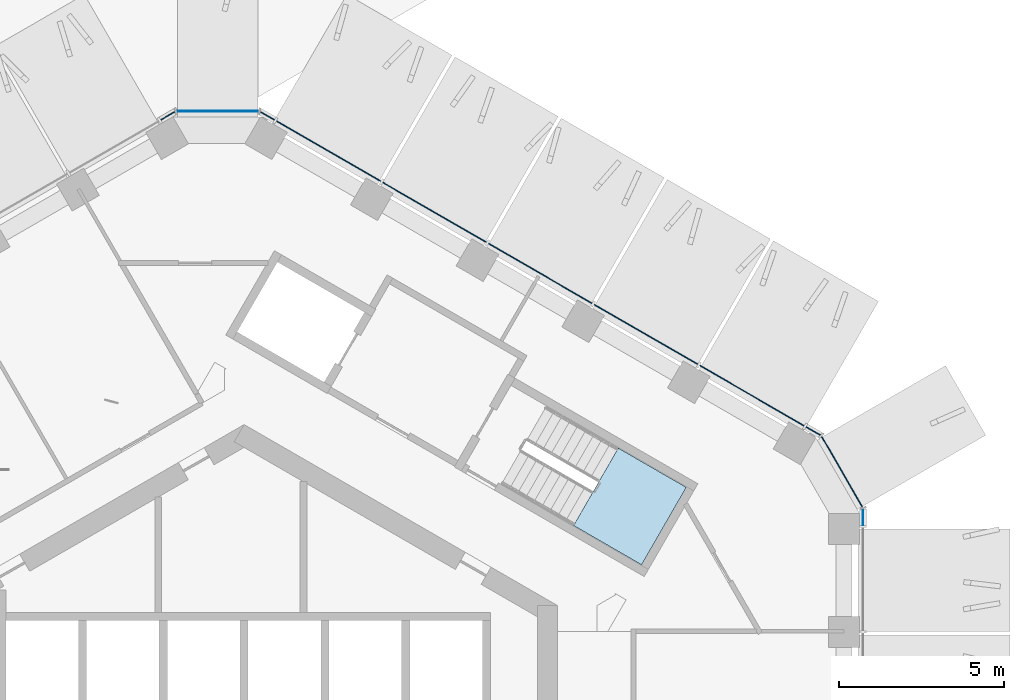
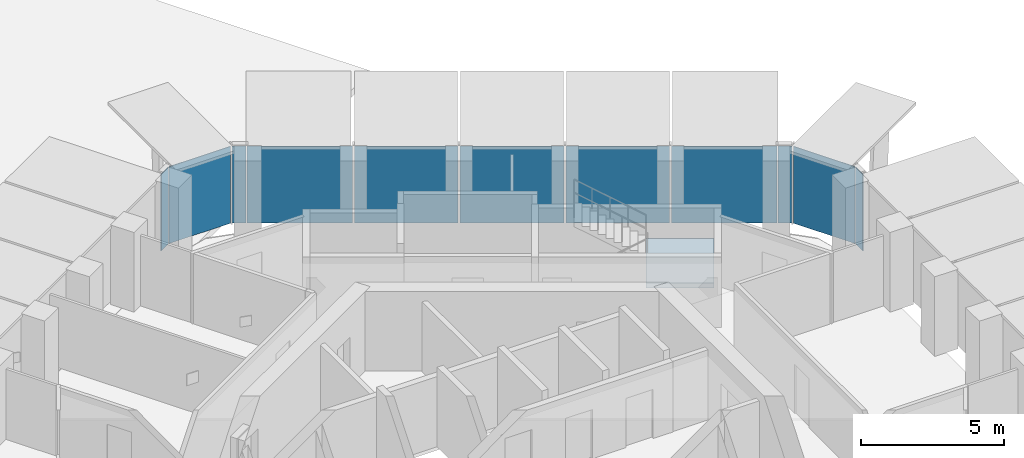
# One storey, part 12 of 23: 11 plates, 1 slab, 4 elements without a shape of their own.
"""IFC4 building model written with IfcOpenShell, lengths in metres."""

from ifc_helpers import new_model, si_unit, direction, frame, origin, origin_2d, place, context, subcontext, project, spatial, polyline, rectangle, outline, extrude, material, layer, layer_set, type_object, element, aggregate, save


model = new_model("IFC4")

# Units and contexts
model_context = context("Model", 3, precision=1e-05, world=origin(), true_north=direction((0.0, 1.0)))
body_context = subcontext(model_context, "Body", "Model", "MODEL_VIEW")
ifc_project = project(units=[si_unit("LENGTHUNIT", "METRE"), si_unit("AREAUNIT", "SQUARE_METRE"), si_unit("VOLUMEUNIT", "CUBIC_METRE"), si_unit("PLANEANGLEUNIT", "RADIAN"), si_unit("MASSUNIT", "GRAM", prefix="KILO")], contexts=[model_context])

# Site, building, storey
site_placement = place(None, origin())
site = spatial("IfcSite", under=ifc_project, at=site_placement, CompositionType="ELEMENT")
building_placement = place(site_placement, origin())
building = spatial("IfcBuilding", under=site, at=building_placement, Name="Ayvan Gate Tower", CompositionType="ELEMENT")
storey_placement = place(building_placement, frame((0.0, 0.0, 198.699951171875)))
storey = spatial("IfcBuildingStorey", under=building, at=storey_placement, Name="L53", CompositionType="ELEMENT", Elevation=198.699951171875)

# Stair, slab
ifc_material_1 = material(Name="Concrete C40/50", Category="concrete")
stair_type = type_object("IfcStairType", Name="ST-EXIT", PredefinedType="HALF_TURN_STAIR", material=ifc_material_1)
stair_placement = place(storey_placement, origin())
stair = element("IfcStair", 1, at=stair_placement, inside=storey, type_object=stair_type, Name="L53 Exit Stair S1", PredefinedType="HALF_TURN_STAIR")
ifc_layer_1 = layer(ifc_material_1, 0.199951171875)
ifc_layer_set_1 = layer_set([ifc_layer_1], Name="Concrete C40/50")
slab_type = type_object("IfcSlabType", Name="SL-LANDING-200", PredefinedType="LANDING", material=ifc_layer_set_1)
slab_placement = place(storey_placement, frame((0.0, 0.0, 1.5)))
slab = element("IfcSlab", 2, at=slab_placement, type_object=slab_type, Name="STS1 landing 1", PredefinedType="LANDING", context=body_context, shape_type="SweptSolid", body=[
    extrude(outline(polyline([(9.988525390625, 7.91064453125), (12.049560546875, 6.720458984375), (13.404541015625, 9.0673828125), (11.343505859375, 10.257568359375), (9.988525390625, 7.91064453125)])), origin(), (0.0, 0.0, 1.0), 0.199951171875),
])
aggregate(stair, [slab])

# Curtain wall, plates
ifc_material_2 = material(Name="Bronze anodised aluminium", Category="aluminium")
ifc_layer_2 = layer(ifc_material_2, 0.199951171875)
ifc_layer_set_2 = layer_set([ifc_layer_2], Name="Bronze anodised aluminium")
curtain_wall_type_1 = type_object("IfcCurtainWallType", Name="Stick curtain wall CW-2", PredefinedType="NOTDEFINED", material=ifc_layer_set_2)
curtain_wall_1_placement = place(storey_placement, origin())
curtain_wall_1 = element("IfcCurtainWall", 3, at=curtain_wall_1_placement, inside=storey, type_object=curtain_wall_type_1, Name="Stick curtain wall CW-2 L53", PredefinedType="NOTDEFINED")
ifc_material_3 = material(Name="Clear low-iron laminated glass", Category="glass")
ifc_layer_3 = layer(ifc_material_3, 0.028076171875)
ifc_layer_set_3 = layer_set([ifc_layer_3], Name="Clear low-iron laminated glass")
plate_type_1 = type_object("IfcPlateType", Name="Stick curtain wall CW-2 glass panel", PredefinedType="CURTAIN_PANEL", material=ifc_layer_set_3)
plate_1_placement = place(storey_placement, frame((15.412353515625, 11.83837890625, 0.0), z_axis=(0.0, 0.0, 1.0), x_axis=(-0.866025403784, 0.5, 0.0)))
plate_1 = element("IfcPlate", 4, at=plate_1_placement, type_object=plate_type_1, Name="CW-2 glass panel 1", PredefinedType="CURTAIN_PANEL", context=body_context, shape_type="SweptSolid", body=[
    extrude(rectangle(XDim=3.68798828125, YDim=0.028076171875, at=origin_2d()), origin(), (0.0, 0.0, 1.0), 3.280029296875),
])
plate_2_placement = place(storey_placement, frame((12.183349609375, 13.70263671875, 0.0), z_axis=(0.0, 0.0, 1.0), x_axis=(-0.866025403784, 0.5, 0.0)))
plate_2 = element("IfcPlate", 5, at=plate_2_placement, type_object=plate_type_1, Name="CW-2 glass panel 2", PredefinedType="CURTAIN_PANEL", context=body_context, shape_type="SweptSolid", body=[
    extrude(rectangle(XDim=3.62890625, YDim=0.028076171875, at=origin_2d()), origin(), (0.0, 0.0, 1.0), 3.280029296875),
])
plate_3_placement = place(storey_placement, frame((8.9794921875, 15.552490234375, 0.0), z_axis=(0.0, 0.0, 1.0), x_axis=(-0.866025403784, 0.5, 0.0)))
plate_3 = element("IfcPlate", 6, at=plate_3_placement, type_object=plate_type_1, Name="CW-2 glass panel 3", PredefinedType="CURTAIN_PANEL", context=body_context, shape_type="SweptSolid", body=[
    extrude(rectangle(XDim=3.6298828125, YDim=0.028076171875, at=origin_2d()), origin(), (0.0, 0.0, 1.0), 3.280029296875),
])
plate_4_placement = place(storey_placement, frame((5.775634765625, 17.40234375, 0.0), z_axis=(0.0, 0.0, 1.0), x_axis=(-0.866025403784, 0.5, 0.0)))
plate_4 = element("IfcPlate", 7, at=plate_4_placement, type_object=plate_type_1, Name="CW-2 glass panel 4", PredefinedType="CURTAIN_PANEL", context=body_context, shape_type="SweptSolid", body=[
    extrude(rectangle(XDim=3.62890625, YDim=0.028076171875, at=origin_2d()), origin(), (0.0, 0.0, 1.0), 3.280029296875),
])
plate_5_placement = place(storey_placement, frame((2.54638671875, 19.2666015625, 0.0), z_axis=(0.0, 0.0, 1.0), x_axis=(-0.866025403784, 0.5, 0.0)))
plate_5 = element("IfcPlate", 8, at=plate_5_placement, type_object=plate_type_1, Name="CW-2 glass panel 5", PredefinedType="CURTAIN_PANEL", context=body_context, shape_type="SweptSolid", body=[
    extrude(rectangle(XDim=3.6884765625, YDim=0.028076171875, at=origin_2d()), origin(), (0.0, 0.0, 1.0), 3.280029296875),
])
aggregate(curtain_wall_1, [plate_1, plate_2, plate_3, plate_4, plate_5])

ifc_layer_4 = layer(ifc_material_2, 0.199951171875)
ifc_layer_set_4 = layer_set([ifc_layer_4], Name="Bronze anodised aluminium")
curtain_wall_type_2 = type_object("IfcCurtainWallType", Name="Stick curtain wall CW-6", PredefinedType="NOTDEFINED", material=ifc_layer_set_4)
curtain_wall_2_placement = place(storey_placement, origin())
curtain_wall_2 = element("IfcCurtainWall", 9, at=curtain_wall_2_placement, inside=storey, type_object=curtain_wall_type_2, Name="Stick curtain wall CW-6 L53", PredefinedType="NOTDEFINED")
ifc_layer_5 = layer(ifc_material_3, 0.028076171875)
ifc_layer_set_5 = layer_set([ifc_layer_5], Name="Clear low-iron laminated glass")
plate_type_2 = type_object("IfcPlateType", Name="Stick curtain wall CW-6 glass panel", PredefinedType="CURTAIN_PANEL", material=ifc_layer_set_5)
plate_6_placement = place(storey_placement, frame((18.761474609375, 8.16650390625, 0.0), z_axis=(0.0, 0.0, 1.0), x_axis=(0.0, 1.0, 0.0)))
plate_6 = element("IfcPlate", 10, at=plate_6_placement, type_object=plate_type_2, Name="CW-6 glass panel 1", PredefinedType="CURTAIN_PANEL", context=body_context, shape_type="SweptSolid", body=[
    extrude(rectangle(XDim=0.5, YDim=0.028076171875, at=origin_2d()), origin(), (0.0, 0.0, 1.0), 3.280029296875),
])
plate_7_placement = place(storey_placement, frame((18.1279296875, 9.5390625, 0.0), z_axis=(0.0, 0.0, 1.0), x_axis=(-0.5, 0.866025403784, 0.0)))
plate_7 = element("IfcPlate", 11, at=plate_7_placement, type_object=plate_type_2, Name="CW-6 glass panel 2", PredefinedType="CURTAIN_PANEL", context=body_context, shape_type="SweptSolid", body=[
    extrude(rectangle(XDim=2.484619140625, YDim=0.028076171875, at=origin_2d()), origin(), (0.0, 0.0, 1.0), 3.280029296875),
])
plate_8_placement = place(storey_placement, frame((17.256103515625, 10.77392578125, 0.0), z_axis=(0.0, 0.0, 1.0), x_axis=(-0.866025403784, 0.5, 0.0)))
plate_8 = element("IfcPlate", 12, at=plate_8_placement, type_object=plate_type_2, Name="CW-6 glass panel 3", PredefinedType="CURTAIN_PANEL", context=body_context, shape_type="SweptSolid", body=[
    extrude(rectangle(XDim=0.5, YDim=0.028076171875, at=origin_2d()), origin(), (0.0, 0.0, 1.0), 3.280029296875),
])
aggregate(curtain_wall_2, [plate_6, plate_7, plate_8])

curtain_wall_3_placement = place(storey_placement, origin())
curtain_wall_3 = element("IfcCurtainWall", 13, at=curtain_wall_3_placement, inside=storey, type_object=curtain_wall_type_2, Name="Stick curtain wall CW-6 L53", PredefinedType="NOTDEFINED")
plate_9_placement = place(storey_placement, frame((0.702392578125, 20.331298828125, 0.0), z_axis=(0.0, 0.0, 1.0), x_axis=(-0.866025403784, 0.5, 0.0)))
plate_9 = element("IfcPlate", 14, at=plate_9_placement, type_object=plate_type_2, Name="CW-6 glass panel 1", PredefinedType="CURTAIN_PANEL", context=body_context, shape_type="SweptSolid", body=[
    extrude(rectangle(XDim=0.5, YDim=0.028076171875, at=origin_2d()), origin(), (0.0, 0.0, 1.0), 3.280029296875),
])
plate_10_placement = place(storey_placement, frame((-0.802978515625, 20.46875, 0.0), z_axis=(0.0, 0.0, 1.0), x_axis=(-1.0, 0.0, 0.0)))
plate_10 = element("IfcPlate", 15, at=plate_10_placement, type_object=plate_type_2, Name="CW-6 glass panel 2", PredefinedType="CURTAIN_PANEL", context=body_context, shape_type="SweptSolid", body=[
    extrude(rectangle(XDim=2.484619140625, YDim=0.028076171875, at=origin_2d()), origin(), (0.0, 0.0, 1.0), 3.280029296875),
])
plate_11_placement = place(storey_placement, frame((-2.308349609375, 20.331298828125, 0.0), z_axis=(0.0, 0.0, 1.0), x_axis=(-0.866025403784, -0.5, 0.0)))
plate_11 = element("IfcPlate", 16, at=plate_11_placement, type_object=plate_type_2, Name="CW-6 glass panel 3", PredefinedType="CURTAIN_PANEL", context=body_context, shape_type="SweptSolid", body=[
    extrude(rectangle(XDim=0.5, YDim=0.028076171875, at=origin_2d()), origin(), (0.0, 0.0, 1.0), 3.280029296875),
])
aggregate(curtain_wall_3, [plate_9, plate_10, plate_11])

save(model, "model.ifc")
